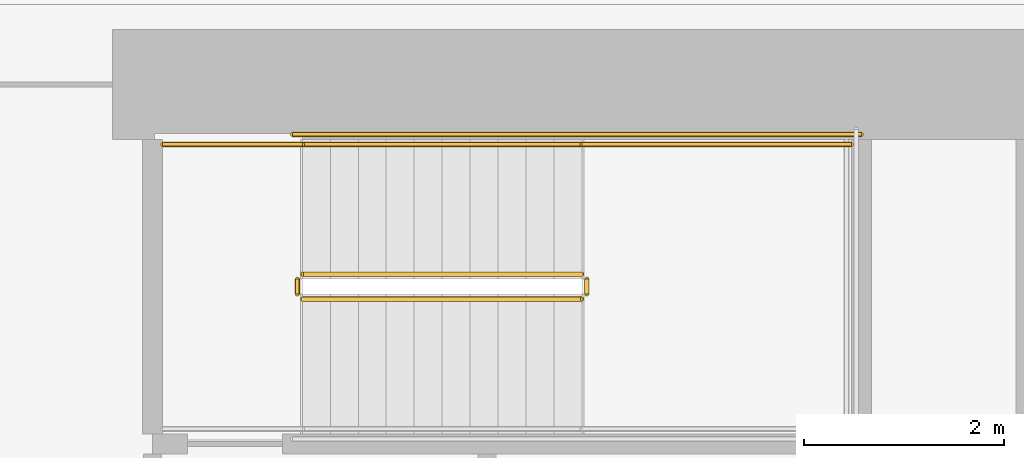
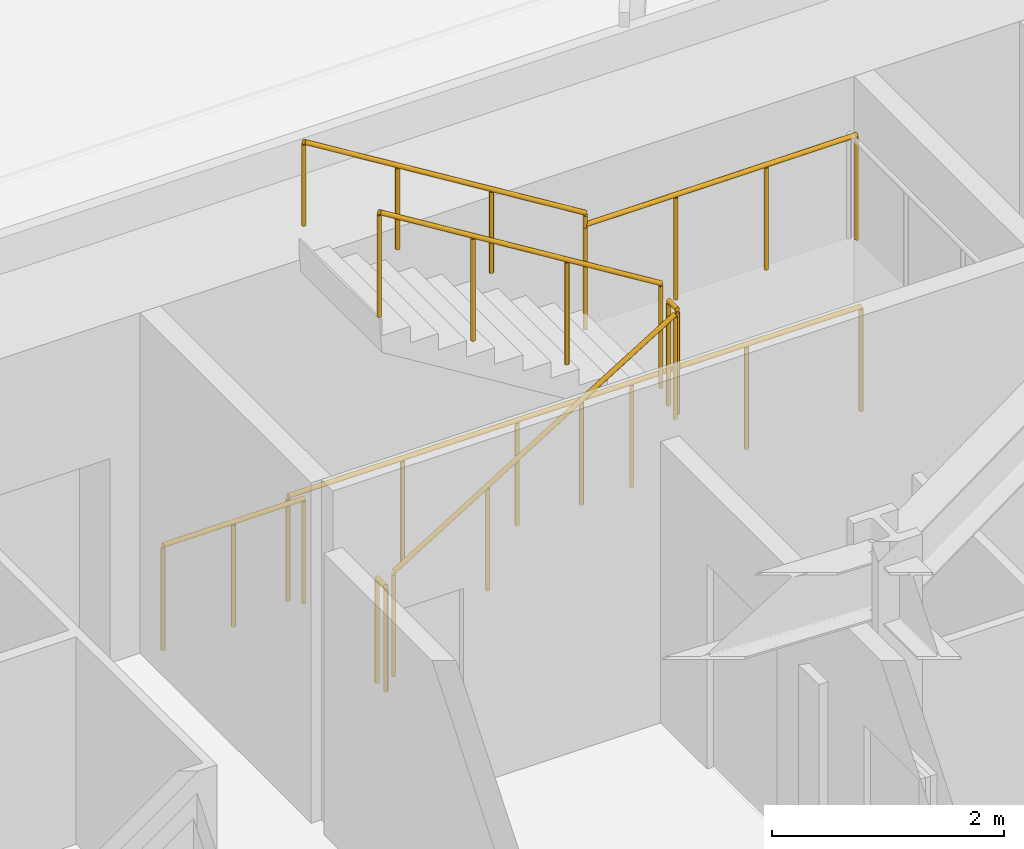
# One storey, part 14 of 16: 8 railings.
"""IFC4 building model written with IfcOpenShell, lengths in metres."""

from ifc_helpers import new_model, si_unit, direction, frame, origin, origin_2d, place, context, subcontext, project, spatial, circle, extrude, material, type_object, element, save


model = new_model("IFC4")

# Units and contexts
model_context = context("Model", 3, precision=1e-05, world=origin(), true_north=direction((0.0, 1.0)))
body_context = subcontext(model_context, "Body", "Model", "MODEL_VIEW")
ifc_project = project(units=[si_unit("LENGTHUNIT", "METRE"), si_unit("AREAUNIT", "SQUARE_METRE"), si_unit("VOLUMEUNIT", "CUBIC_METRE"), si_unit("PLANEANGLEUNIT", "RADIAN"), si_unit("MASSUNIT", "GRAM", prefix="KILO")], contexts=[model_context])

# Site, building, storey
site_placement = place(None, origin())
site = spatial("IfcSite", under=ifc_project, at=site_placement, CompositionType="ELEMENT")
building_placement = place(site_placement, origin())
building = spatial("IfcBuilding", under=site, at=building_placement, Name="Valkerne Bourse Tower", CompositionType="ELEMENT")
storey_placement = place(building_placement, frame((0.0, 0.0, 65.800048828125)))
storey = spatial("IfcBuildingStorey", under=building, at=storey_placement, Name="L16", CompositionType="ELEMENT", Elevation=65.800048828125)

# Railings
ifc_material_1 = material(Name="Galvanised Painted Steel", Category="steel")
railing_type_1 = type_object("IfcRailingType", Name="RLG-ST-GUARD-1120", PredefinedType="GUARDRAIL", material=ifc_material_1)
railing_1_placement = place(storey_placement, frame((48.14990234375, 33.550048828125, 0.172607421875)))
element("IfcRailing", 1, at=railing_1_placement, inside=storey, type_object=railing_type_1, Name="L16 ST-2 stair guard 1", PredefinedType="GUARDRAIL", context=body_context, shape_type="SweptSolid", body=[
    extrude(circle(Radius=0.02392578125, at=origin_2d()), frame((0.0, 0.0, 1.09619140625), z_axis=(0.851089632645, 0.0, 0.525020415988), x_axis=(0.0, 1.0, 0.0)), (0.0, 0.0, 1.0), 3.2900390625),
    extrude(circle(Radius=0.02099609375, at=origin_2d()), origin(), (0.0, 0.0, 1.0), 1.072021484375),
    extrude(circle(Radius=0.02099609375, at=origin_2d()), frame((0.933349609375, 0.0, 0.57568359375)), (0.0, 0.0, 1.0), 1.072021484375),
    extrude(circle(Radius=0.02099609375, at=origin_2d()), frame((1.86669921875, 0.0, 1.151611328125)), (0.0, 0.0, 1.0), 1.072021484375),
    extrude(circle(Radius=0.02099609375, at=origin_2d()), frame((2.800048828125, 0.0, 1.727294921875)), (0.0, 0.0, 1.0), 1.072021484375),
])
railing_2_placement = place(storey_placement, frame((51.0, 33.60009765625, 1.89990234375)))
element("IfcRailing", 2, at=railing_2_placement, inside=storey, type_object=railing_type_1, Name="L16 ST-2 stair guard 2", PredefinedType="GUARDRAIL", context=body_context, shape_type="SweptSolid", body=[
    extrude(circle(Radius=0.02392578125, at=origin_2d()), frame((0.0, 0.0, 1.09619140625), z_axis=(0.0, 1.0, 0.0), x_axis=(-1.0, 0.0, 0.0)), (0.0, 0.0, 1.0), 0.14990234375),
    extrude(circle(Radius=0.02099609375, at=origin_2d()), origin(), (0.0, 0.0, 1.0), 1.072021484375),
    extrude(circle(Radius=0.02099609375, at=origin_2d()), frame((0.0, 0.14990234375, 0.0)), (0.0, 0.0, 1.0), 1.072021484375),
])
railing_3_placement = place(storey_placement, frame((50.949951171875, 35.10009765625, 1.89990234375)))
element("IfcRailing", 3, at=railing_3_placement, inside=storey, type_object=railing_type_1, Name="L16 ST-2 stair guard 4", PredefinedType="GUARDRAIL", context=body_context, shape_type="SweptSolid", body=[
    extrude(circle(Radius=0.02392578125, at=origin_2d()), frame((0.0, 0.0, 1.09619140625), z_axis=(1.0, 0.0, 0.0), x_axis=(0.0, 1.0, 0.0)), (0.0, 0.0, 1.0), 2.699951171875),
    extrude(circle(Radius=0.02099609375, at=origin_2d()), origin(), (0.0, 0.0, 1.0), 1.072021484375),
    extrude(circle(Radius=0.02099609375, at=origin_2d()), frame((0.89990234375, 0.0, 0.0)), (0.0, 0.0, 1.0), 1.072021484375),
    extrude(circle(Radius=0.02099609375, at=origin_2d()), frame((1.800048828125, 0.0, 0.0)), (0.0, 0.0, 1.0), 1.072021484375),
    extrude(circle(Radius=0.02099609375, at=origin_2d()), frame((2.699951171875, 0.0, 0.0)), (0.0, 0.0, 1.0), 1.072021484375),
])
railing_4_placement = place(storey_placement, frame((50.949951171875, 33.800048828125, 2.07275390625)))
element("IfcRailing", 4, at=railing_4_placement, inside=storey, type_object=railing_type_1, Name="L16 ST-2 stair guard 6", PredefinedType="GUARDRAIL", context=body_context, shape_type="SweptSolid", body=[
    extrude(circle(Radius=0.02392578125, at=origin_2d()), frame((0.0, 0.0, 1.09619140625), z_axis=(-0.851089632645, 0.0, 0.525020415988), x_axis=(0.0, -1.0, 0.0)), (0.0, 0.0, 1.0), 3.2900390625),
    extrude(circle(Radius=0.02099609375, at=origin_2d()), origin(), (0.0, 0.0, 1.0), 1.072021484375),
    extrude(circle(Radius=0.02099609375, at=origin_2d()), frame((-0.933349609375, 0.0, 0.57568359375)), (0.0, 0.0, 1.0), 1.072021484375),
    extrude(circle(Radius=0.02099609375, at=origin_2d()), frame((-1.86669921875, 0.0, 1.151611328125)), (0.0, 0.0, 1.0), 1.072021484375),
    extrude(circle(Radius=0.02099609375, at=origin_2d()), frame((-2.800048828125, 0.0, 1.727294921875)), (0.0, 0.0, 1.0), 1.072021484375),
])
railing_5_placement = place(storey_placement, frame((48.10009765625, 33.60009765625, 0.0)))
element("IfcRailing", 5, at=railing_5_placement, inside=storey, type_object=railing_type_1, Name="L16 ST-2 stair guard 7", PredefinedType="GUARDRAIL", context=body_context, shape_type="SweptSolid", body=[
    extrude(circle(Radius=0.02392578125, at=origin_2d()), frame((0.0, 0.0, 1.09619140625), z_axis=(0.0, 1.0, 0.0), x_axis=(-1.0, 0.0, 0.0)), (0.0, 0.0, 1.0), 0.14990234375),
    extrude(circle(Radius=0.02099609375, at=origin_2d()), origin(), (0.0, 0.0, 1.0), 1.072021484375),
    extrude(circle(Radius=0.02099609375, at=origin_2d()), frame((0.0, 0.14990234375, 0.0)), (0.0, 0.0, 1.0), 1.072021484375),
])
railing_6_placement = place(storey_placement, frame((46.75, 35.10009765625, 0.0)))
element("IfcRailing", 6, at=railing_6_placement, inside=storey, type_object=railing_type_1, Name="L16 ST-2 stair guard 9", PredefinedType="GUARDRAIL", context=body_context, shape_type="SweptSolid", body=[
    extrude(circle(Radius=0.02392578125, at=origin_2d()), frame((0.0, 0.0, 1.09619140625), z_axis=(1.0, 0.0, 0.0), x_axis=(0.0, 1.0, 0.0)), (0.0, 0.0, 1.0), 1.39990234375),
    extrude(circle(Radius=0.02099609375, at=origin_2d()), origin(), (0.0, 0.0, 1.0), 1.072021484375),
    extrude(circle(Radius=0.02099609375, at=origin_2d()), frame((0.699951171875, 0.0, 0.0)), (0.0, 0.0, 1.0), 1.072021484375),
    extrude(circle(Radius=0.02099609375, at=origin_2d()), frame((1.39990234375, 0.0, 0.0)), (0.0, 0.0, 1.0), 1.072021484375),
])
railing_7_placement = place(storey_placement, frame((48.050048828125, 35.199951171875, 0.0)))
element("IfcRailing", 7, at=railing_7_placement, inside=storey, type_object=railing_type_1, Name="L16 ST-2 stair guard 11", PredefinedType="GUARDRAIL", context=body_context, shape_type="SweptSolid", body=[
    extrude(circle(Radius=0.02392578125, at=origin_2d()), frame((0.0, 0.0, 1.09619140625), z_axis=(1.0, 0.0, 0.0), x_axis=(0.0, 1.0, 0.0)), (0.0, 0.0, 1.0), 5.699951171875),
    extrude(circle(Radius=0.02099609375, at=origin_2d()), origin(), (0.0, 0.0, 1.0), 1.072021484375),
    extrude(circle(Radius=0.02099609375, at=origin_2d()), frame((1.139892578125, 0.0, 0.0)), (0.0, 0.0, 1.0), 1.072021484375),
    extrude(circle(Radius=0.02099609375, at=origin_2d()), frame((2.280029296875, 0.0, 0.0)), (0.0, 0.0, 1.0), 1.072021484375),
    extrude(circle(Radius=0.02099609375, at=origin_2d()), frame((3.419921875, 0.0, 0.0)), (0.0, 0.0, 1.0), 1.072021484375),
    extrude(circle(Radius=0.02099609375, at=origin_2d()), frame((4.56005859375, 0.0, 0.0)), (0.0, 0.0, 1.0), 1.072021484375),
    extrude(circle(Radius=0.02099609375, at=origin_2d()), frame((5.699951171875, 0.0, 0.0)), (0.0, 0.0, 1.0), 1.072021484375),
])
ifc_material_2 = material(Name="Stainless Steel AISI 316", Category="steel")
railing_type_2 = type_object("IfcRailingType", Name="RLG-ST-HANDRAIL-900", PredefinedType="HANDRAIL", material=ifc_material_2)
railing_8_placement = place(storey_placement, frame((50.949951171875, 35.10009765625, 2.245361328125)))
element("IfcRailing", 8, at=railing_8_placement, inside=storey, type_object=railing_type_2, Name="L16 ST-2 stair handrail 2", PredefinedType="HANDRAIL", context=body_context, shape_type="SweptSolid", body=[
    extrude(circle(Radius=0.02392578125, at=origin_2d()), frame((0.0, 0.0, 0.8759765625), z_axis=(-0.851089632645, 0.0, 0.525020415988), x_axis=(0.0, -1.0, 0.0)), (0.0, 0.0, 1.0), 3.2900390625),
    extrude(circle(Radius=0.02099609375, at=origin_2d()), origin(), (0.0, 0.0, 1.0), 0.851806640625),
    extrude(circle(Radius=0.02099609375, at=origin_2d()), frame((-0.933349609375, 0.0, 0.57568359375)), (0.0, 0.0, 1.0), 0.851806640625),
    extrude(circle(Radius=0.02099609375, at=origin_2d()), frame((-1.86669921875, 0.0, 1.151611328125)), (0.0, 0.0, 1.0), 0.851806640625),
    extrude(circle(Radius=0.02099609375, at=origin_2d()), frame((-2.800048828125, 0.0, 1.727294921875)), (0.0, 0.0, 1.0), 0.851806640625),
])

save(model, "model.ifc")
